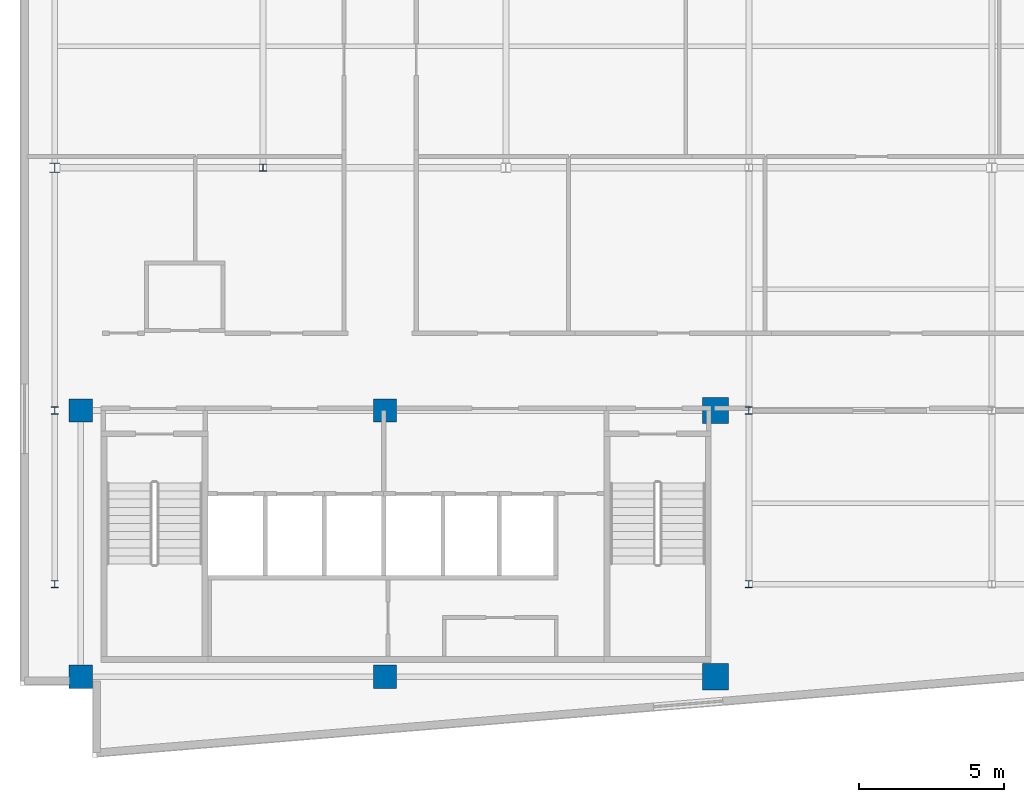
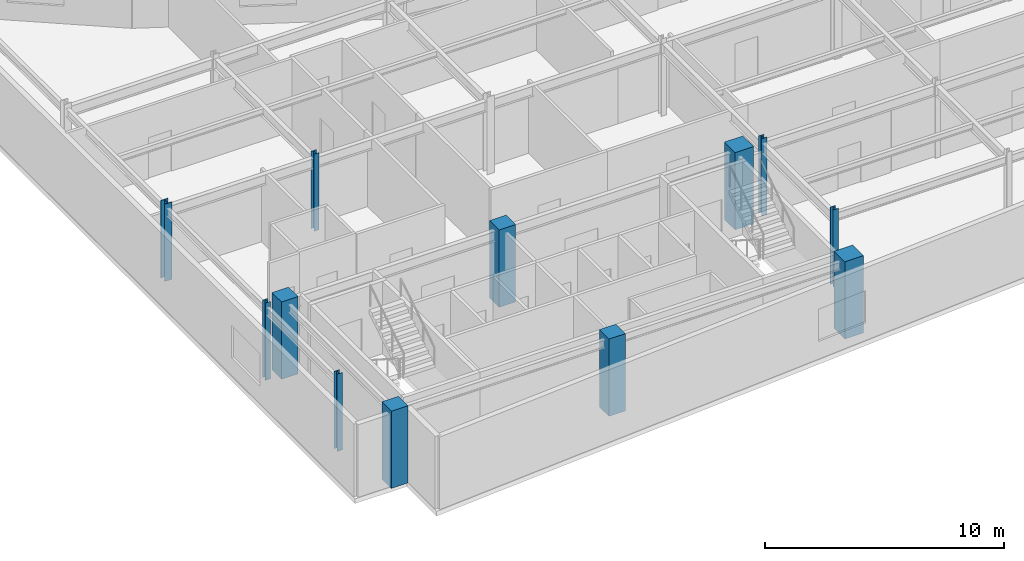
# One storey, part 1 of 15: 12 columns.
"""IFC4 building model written with IfcOpenShell, lengths in metres."""

from ifc_helpers import new_model, si_unit, direction, frame, origin, origin_2d, place, context, subcontext, project, spatial, rectangle, i_section, extrude, material, material_profile, profile_set, type_object, element, save


model = new_model("IFC4")

# Units and contexts
model_context = context("Model", 3, precision=1e-05, world=origin(), true_north=direction((0.0, 1.0)))
body_context = subcontext(model_context, "Body", "Model", "MODEL_VIEW")
ifc_project = project(units=[si_unit("LENGTHUNIT", "METRE"), si_unit("AREAUNIT", "SQUARE_METRE"), si_unit("VOLUMEUNIT", "CUBIC_METRE"), si_unit("PLANEANGLEUNIT", "RADIAN"), si_unit("MASSUNIT", "GRAM", prefix="KILO")], contexts=[model_context])

# Site, building, storey
site_placement = place(None, origin())
site = spatial("IfcSite", under=ifc_project, at=site_placement, CompositionType="ELEMENT")
building_placement = place(site_placement, origin())
building = spatial("IfcBuilding", under=site, at=building_placement, Name="Varnakote Quay Hospital", CompositionType="ELEMENT")
storey_placement = place(building_placement, frame((0.0, 0.0, 244.699951171875)))
storey = spatial("IfcBuildingStorey", under=building, at=storey_placement, Name="L60", CompositionType="ELEMENT", Elevation=244.699951171875)

# Columns
ifc_material_1 = material(Name="Concrete N50 (f'c 50 MPa)", Category="concrete")
ifc_material_profile_1 = material_profile(ifc_material_1, rectangle(XDim=0.800048828125, YDim=0.800048828125, at=origin_2d()), Name="RC-COL-800x800")
ifc_profile_set_1 = profile_set([ifc_material_profile_1], Name="Concrete N50 (f'c 50 MPa)")
column_type_1 = type_object("IfcColumnType", Name="COL-RC-800", PredefinedType="COLUMN", material=ifc_profile_set_1)
for number, where, z_axis, x_axis, name in (
    (1, (2.10009765625, 2.800048828125, 0.0), (0.0, 0.0, 1.0), (1.0, 0.0, 0.0), "L60 Structural Column C-2-3"),
    (2, (12.6201171875, 2.800048828125, 0.0), (0.0, 0.0, 1.0), (1.0, 0.0, 0.0), "L60 Structural Column C-13-3"),
    (3, (2.10009765625, 12.0, 0.0), (0.0, 0.0, 1.0), (1.0, 0.0, 0.0), "L60 Structural Column C-2-12"),
    (4, (12.6201171875, 12.0, 0.0), (0.0, 0.0, 1.0), (1.0, 0.0, 0.0), "L60 Structural Column C-13-12"),
):
    element("IfcColumn", number, at=place(storey_placement, frame(where, z_axis=z_axis, x_axis=x_axis)), inside=storey, type_object=column_type_1, Name=name, PredefinedType="COLUMN", context=body_context, shape_type="SweptSolid", body=[
        extrude(rectangle(XDim=0.800048828125, YDim=0.800048828125, at=origin_2d()), origin(), (0.0, 0.0, 1.0), 3.949951171875),
    ])
ifc_material_2 = material(Name="Concrete N50 (f'c 50 MPa)", Category="concrete")
ifc_material_profile_2 = material_profile(ifc_material_2, rectangle(XDim=0.89990234375, YDim=0.89990234375, at=origin_2d()), Name="RC-COL-900x900")
ifc_profile_set_2 = profile_set([ifc_material_profile_2], Name="Concrete N50 (f'c 50 MPa)")
column_type_2 = type_object("IfcColumnType", Name="COL-RC-900", PredefinedType="COLUMN", material=ifc_profile_set_2)
for number, where, z_axis, x_axis, name in (
    (5, (24.050048828125, 2.800048828125, 0.0), (0.0, 0.0, 1.0), (1.0, 0.0, 0.0), "L60 Structural Column C-24-3"),
    (6, (24.050048828125, 12.0, 0.0), (0.0, 0.0, 1.0), (1.0, 0.0, 0.0), "L60 Structural Column C-24-12"),
):
    element("IfcColumn", number, at=place(storey_placement, frame(where, z_axis=z_axis, x_axis=x_axis)), inside=storey, type_object=column_type_2, Name=name, PredefinedType="COLUMN", context=body_context, shape_type="SweptSolid", body=[
        extrude(rectangle(XDim=0.89990234375, YDim=0.89990234375, at=origin_2d()), origin(), (0.0, 0.0, 1.0), 3.949951171875),
    ])
ifc_material_3 = material(Name="Structural steel AS/NZS 3679.1 Grade 350 L0 (fy 340 MPa)", Category="steel")
ifc_material_profile_3 = material_profile(ifc_material_3, i_section(OverallWidth=0.25390625, OverallDepth=0.25390625, WebThickness=0.008544921875, FlangeThickness=0.01416015625, FilletRadius=0.0126953125, at=origin_2d()), Name="250UC72.9")
ifc_profile_set_3 = profile_set([ifc_material_profile_3], Name="Structural steel AS/NZS 3679.1 Grade 350 L0 (fy 340 MPa)")
column_type_3 = type_object("IfcColumnType", Name="COL-STL-250UC72-9", PredefinedType="COLUMN", material=ifc_profile_set_3)
for number, where, z_axis, x_axis, name in (
    (7, (1.199951171875, 6.0, 0.0), (0.0, 0.0, 1.0), (1.0, 0.0, 0.0), "L60 Structural Column C-1-6"),
    (8, (25.199951171875, 6.0, 0.0), (0.0, 0.0, 1.0), (1.0, 0.0, 0.0), "L60 Structural Column C-25-6"),
    (9, (1.199951171875, 12.0, 0.0), (0.0, 0.0, 1.0), (1.0, 0.0, 0.0), "L60 Structural Column C-1-12"),
    (10, (25.199951171875, 12.0, 0.0), (0.0, 0.0, 1.0), (1.0, 0.0, 0.0), "L60 Structural Column C-25-12"),
    (11, (8.39990234375, 20.39990234375, 0.0), (0.0, 0.0, 1.0), (1.0, 0.0, 0.0), "L60 Structural Column C-8-20"),
):
    element("IfcColumn", number, at=place(storey_placement, frame(where, z_axis=z_axis, x_axis=x_axis)), inside=storey, type_object=column_type_3, Name=name, PredefinedType="COLUMN", context=body_context, shape_type="SweptSolid", body=[
        extrude(i_section(OverallWidth=0.25390625, OverallDepth=0.25390625, WebThickness=0.008544921875, FlangeThickness=0.01416015625, FilletRadius=0.0126953125, at=origin_2d()), origin(), (0.0, 0.0, 1.0), 3.949951171875),
    ])
ifc_material_4 = material(Name="Structural steel AS/NZS 3678 Grade 350 (fy 340 MPa)", Category="steel")
ifc_material_profile_4 = material_profile(ifc_material_4, i_section(OverallWidth=0.35009765625, OverallDepth=0.340087890625, WebThickness=0.01611328125, FlangeThickness=0.028076171875, at=origin_2d()), Name="350WC197")
ifc_profile_set_4 = profile_set([ifc_material_profile_4], Name="Structural steel AS/NZS 3678 Grade 350 (fy 340 MPa)")
column_type_4 = type_object("IfcColumnType", Name="COL-STL-350WC197", PredefinedType="COLUMN", material=ifc_profile_set_4)
column_placement = place(storey_placement, frame((1.199951171875, 20.39990234375, 0.0), z_axis=(0.0, 0.0, 1.0), x_axis=(1.0, 0.0, 0.0)))
element("IfcColumn", 12, at=column_placement, inside=storey, type_object=column_type_4, Name="L60 Structural Column C-1-20", PredefinedType="COLUMN", context=body_context, shape_type="SweptSolid", body=[
    extrude(i_section(OverallWidth=0.35009765625, OverallDepth=0.340087890625, WebThickness=0.01611328125, FlangeThickness=0.028076171875, at=origin_2d()), origin(), (0.0, 0.0, 1.0), 3.949951171875),
])

save(model, "model.ifc")
